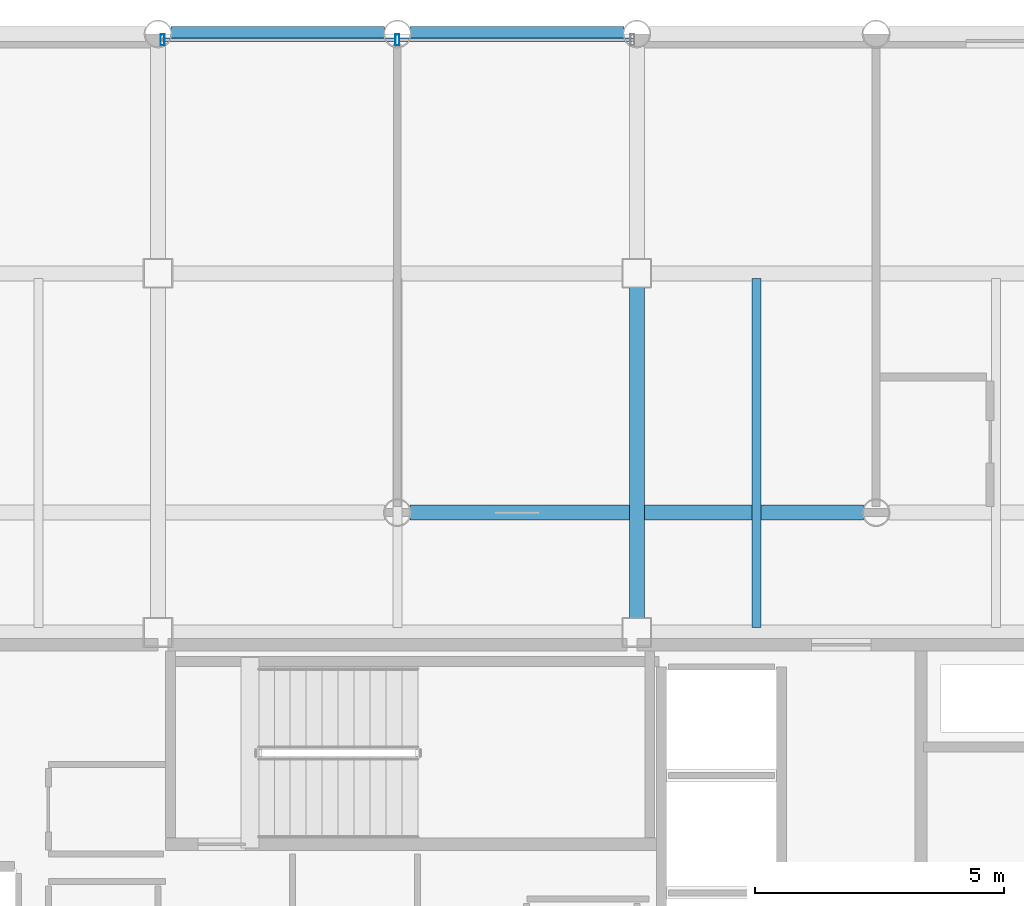
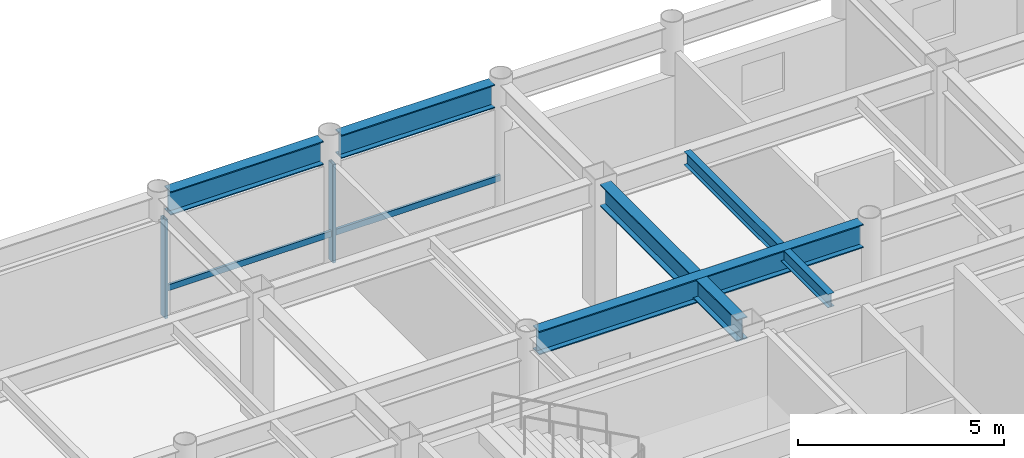
# One storey, part 13 of 21: 5 beams, 4 members, 1 element without a shape of its own.
"""IFC4 building model written with IfcOpenShell, lengths in metres."""

from ifc_helpers import new_model, si_unit, direction, frame, origin, origin_2d, place, context, subcontext, project, spatial, hollow_rectangle, i_section, extrude, material, layer, layer_set, material_profile, profile_set, type_object, element, aggregate, save


model = new_model("IFC4")

# Units and contexts
model_context = context("Model", 3, precision=1e-05, world=origin(), true_north=direction((0.0, 1.0)))
body_context = subcontext(model_context, "Body", "Model", "MODEL_VIEW")
ifc_project = project(units=[si_unit("LENGTHUNIT", "METRE"), si_unit("AREAUNIT", "SQUARE_METRE"), si_unit("VOLUMEUNIT", "CUBIC_METRE"), si_unit("PLANEANGLEUNIT", "RADIAN"), si_unit("MASSUNIT", "GRAM", prefix="KILO")], contexts=[model_context])

# Site, building, storey
site_placement = place(None, origin())
site = spatial("IfcSite", under=ifc_project, at=site_placement, CompositionType="ELEMENT")
building_placement = place(site_placement, origin())
building = spatial("IfcBuilding", under=site, at=building_placement, Name="Kallvorn Hotel Tower", CompositionType="ELEMENT")
storey_placement = place(building_placement, frame((0.0, 0.0, 210.75)))
storey = spatial("IfcBuildingStorey", under=building, at=storey_placement, Name="L52", CompositionType="ELEMENT", Elevation=210.75)

# Beams
ifc_material_1 = material(Name="Structural steel S355JR", Category="steel")
ifc_material_profile_1 = material_profile(ifc_material_1, i_section(OverallWidth=0.300048828125, OverallDepth=0.64990234375, WebThickness=0.01611328125, FlangeThickness=0.031005859375, at=origin_2d()), Name="HE 650 B")
ifc_profile_set_1 = profile_set([ifc_material_profile_1], Name="Structural steel S355JR")
beam_type_1 = type_object("IfcBeamType", Name="BM_HE650B", PredefinedType="BEAM", material=ifc_profile_set_1)
beam_1_placement = place(storey_placement, frame((4.800048828125, 7.47509765625, 3.344970703125), z_axis=(0.0, 1.0, 0.0), x_axis=(-1.0, 0.0, 0.0)))
element("IfcBeam", 1, at=beam_1_placement, inside=storey, type_object=beam_type_1, Name="L53 Primary Y-Girder 116", PredefinedType="BEAM", context=body_context, shape_type="SweptSolid", body=[
    extrude(i_section(OverallWidth=0.300048828125, OverallDepth=0.64990234375, WebThickness=0.01611328125, FlangeThickness=0.031005859375, at=origin_2d()), origin(), (0.0, 0.0, 1.0), 6.64990234375),
])
ifc_material_2 = material(Name="Structural steel S355JR", Category="steel")
ifc_material_profile_2 = material_profile(ifc_material_2, i_section(OverallWidth=0.300048828125, OverallDepth=0.699951171875, WebThickness=0.01708984375, FlangeThickness=0.031982421875, at=origin_2d()), Name="HE 700 B")
ifc_profile_set_2 = profile_set([ifc_material_profile_2], Name="Structural steel S355JR")
beam_type_2 = type_object("IfcBeamType", Name="BM_HE700B", PredefinedType="BEAM", material=ifc_profile_set_2)
beam_2_placement = place(storey_placement, frame((0.25439453125, 9.60009765625, 3.320068359375), z_axis=(1.0, 0.0, 0.0), x_axis=(0.0, 1.0, 0.0)))
element("IfcBeam", 2, at=beam_2_placement, inside=storey, type_object=beam_type_2, Name="L53 Primary X-Girder 46", PredefinedType="BEAM", context=body_context, shape_type="SweptSolid", body=[
    extrude(i_section(OverallWidth=0.300048828125, OverallDepth=0.699951171875, WebThickness=0.01708984375, FlangeThickness=0.031982421875, at=origin_2d()), origin(), (0.0, 0.0, 1.0), 9.091064453125),
])
for number, where, z_axis, x_axis, name in (
    (3, (-4.54541015625, 19.199951171875, 3.320068359375), (1.0, 0.0, 0.0), (0.0, 1.0, 0.0), "L53 Primary X-Girder 66"),
    (4, (0.25439453125, 19.199951171875, 3.320068359375), (1.0, 0.0, 0.0), (0.0, 1.0, 0.0), "L53 Primary X-Girder 67"),
):
    element("IfcBeam", number, at=place(storey_placement, frame(where, z_axis=z_axis, x_axis=x_axis)), inside=storey, type_object=beam_type_2, Name=name, PredefinedType="BEAM", context=body_context, shape_type="SweptSolid", body=[
        extrude(i_section(OverallWidth=0.300048828125, OverallDepth=0.699951171875, WebThickness=0.01708984375, FlangeThickness=0.031982421875, at=origin_2d()), origin(), (0.0, 0.0, 1.0), 4.291015625),
    ])
ifc_material_3 = material(Name="Structural steel S355JR", Category="steel")
ifc_material_profile_3 = material_profile(ifc_material_3, i_section(OverallWidth=0.179931640625, OverallDepth=0.39990234375, WebThickness=0.008544921875, FlangeThickness=0.013427734375, at=origin_2d()), Name="IPE 400")
ifc_profile_set_3 = profile_set([ifc_material_profile_3], Name="Structural steel S355JR")
beam_type_3 = type_object("IfcBeamType", Name="BM_IPE400", PredefinedType="JOIST", material=ifc_profile_set_3)
beam_3_placement = place(storey_placement, frame((7.199951171875, 7.300048828125, 3.469970703125), z_axis=(0.0, 1.0, 0.0), x_axis=(-1.0, 0.0, 0.0)))
element("IfcBeam", 5, at=beam_3_placement, inside=storey, type_object=beam_type_3, Name="L53 Secondary Composite Joist 203", PredefinedType="JOIST", context=body_context, shape_type="SweptSolid", body=[
    extrude(i_section(OverallWidth=0.179931640625, OverallDepth=0.39990234375, WebThickness=0.008544921875, FlangeThickness=0.013427734375, at=origin_2d()), origin(), (0.0, 0.0, 1.0), 7.0),
])

# Curtain wall, members
ifc_material_4 = material(Name="Thermally broken black-anodised aluminium AA 6063-T6", Category="aluminium")
ifc_layer = layer(ifc_material_4, 0.22998046875)
ifc_layer_set = layer_set([ifc_layer], Name="CW_SYS_5_HOTEL_HIGH")
curtain_wall_type = type_object("IfcCurtainWallType", Name="CW_SYS_5_HOTEL_HIGH", PredefinedType="USERDEFINED", material=ifc_layer_set)
curtain_wall_placement = place(storey_placement, origin())
curtain_wall = element("IfcCurtainWall", 6, at=curtain_wall_placement, inside=storey, type_object=curtain_wall_type, Name="L52 Dark-Glass Curtain Wall CW-L52-NC", ObjectType="UNITISED CURTAIN WALL", PredefinedType="USERDEFINED")
ifc_material_5 = material(Name="Thermally broken black-anodised aluminium AA 6063-T6", Category="aluminium")
ifc_material_profile_4 = material_profile(ifc_material_5, hollow_rectangle(XDim=0.080078125, YDim=0.219970703125, WallThickness=0.0048828125, at=origin_2d()), Name="MUL 220x80")
ifc_profile_set_4 = profile_set([ifc_material_profile_4], Name="Thermally broken black-anodised aluminium AA 6063-T6")
member_type_1 = type_object("IfcMemberType", Name="CW_MULLION_220x80", PredefinedType="MULLION", material=ifc_profile_set_4)
member_1_placement = place(storey_placement, frame((-4.7099609375, 19.080078125, 0.02001953125), z_axis=(0.0, 0.0, 1.0), x_axis=(1.0, 0.0, 0.0)))
member_1 = element("IfcMember", 7, at=member_1_placement, type_object=member_type_1, Name="CW-L52-NC Mullion 00", PredefinedType="MULLION", context=body_context, shape_type="SweptSolid", body=[
    extrude(hollow_rectangle(XDim=0.080078125, YDim=0.219970703125, WallThickness=0.0048828125, at=origin_2d()), origin(), (0.0, 0.0, 1.0), 2.929931640625),
])
member_2_placement = place(storey_placement, frame((0.0, 19.080078125, 0.02001953125), z_axis=(0.0, 0.0, 1.0), x_axis=(1.0, 0.0, 0.0)))
member_2 = element("IfcMember", 8, at=member_2_placement, type_object=member_type_1, Name="CW-L52-NC Mullion 01", PredefinedType="MULLION", context=body_context, shape_type="SweptSolid", body=[
    extrude(hollow_rectangle(XDim=0.080078125, YDim=0.219970703125, WallThickness=0.0048828125, at=origin_2d()), origin(), (0.0, 0.0, 1.0), 2.929931640625),
])
ifc_material_6 = material(Name="Thermally broken black-anodised aluminium AA 6063-T6", Category="aluminium")
ifc_material_profile_5 = material_profile(ifc_material_6, hollow_rectangle(XDim=0.070068359375, YDim=0.179931640625, WallThickness=0.00390625, at=origin_2d()), Name="TRN 180x70")
ifc_profile_set_5 = profile_set([ifc_material_profile_5], Name="Thermally broken black-anodised aluminium AA 6063-T6")
member_type_2 = type_object("IfcMemberType", Name="CW_TRANSOM_180x70", PredefinedType="USERDEFINED", material=ifc_profile_set_5)
member_3_placement = place(storey_placement, frame((-4.7099609375, 19.080078125, 0.85009765625), z_axis=(1.0, 0.0, 0.0), x_axis=(0.0, 1.0, 0.0)))
member_3 = element("IfcMember", 9, at=member_3_placement, type_object=member_type_2, Name="CW-L52-NC Transom 00M", ObjectType="TRANSOM", PredefinedType="USERDEFINED", context=body_context, shape_type="SweptSolid", body=[
    extrude(hollow_rectangle(XDim=0.070068359375, YDim=0.179931640625, WallThickness=0.00390625, at=origin_2d()), origin(), (0.0, 0.0, 1.0), 4.669921875),
])
member_4_placement = place(storey_placement, frame((0.0400390625, 19.080078125, 0.85009765625), z_axis=(1.0, 0.0, 0.0), x_axis=(0.0, 1.0, 0.0)))
member_4 = element("IfcMember", 10, at=member_4_placement, type_object=member_type_2, Name="CW-L52-NC Transom 01M", ObjectType="TRANSOM", PredefinedType="USERDEFINED", context=body_context, shape_type="SweptSolid", body=[
    extrude(hollow_rectangle(XDim=0.070068359375, YDim=0.179931640625, WallThickness=0.00390625, at=origin_2d()), origin(), (0.0, 0.0, 1.0), 4.669921875),
])
aggregate(curtain_wall, [member_1, member_2, member_3, member_4])

save(model, "model.ifc")
